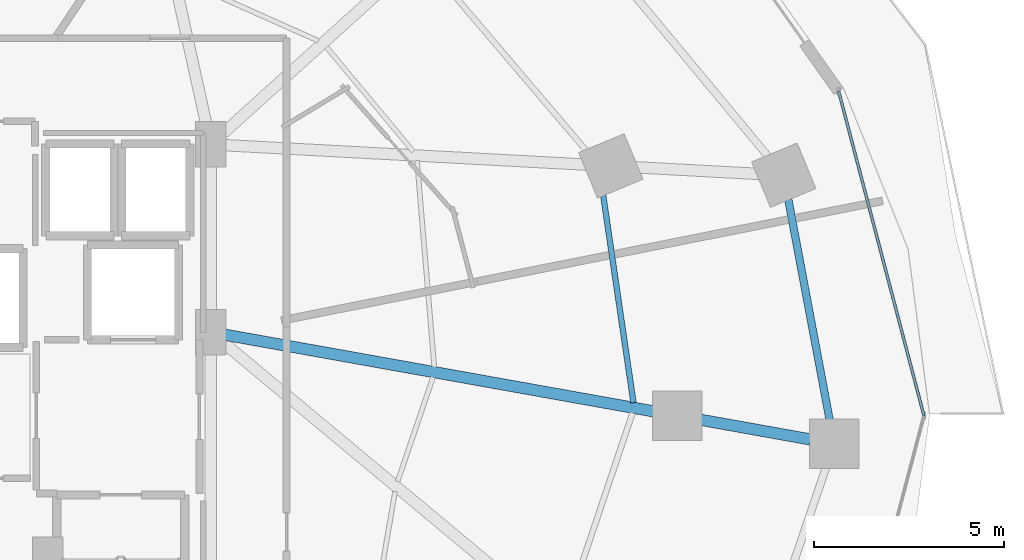
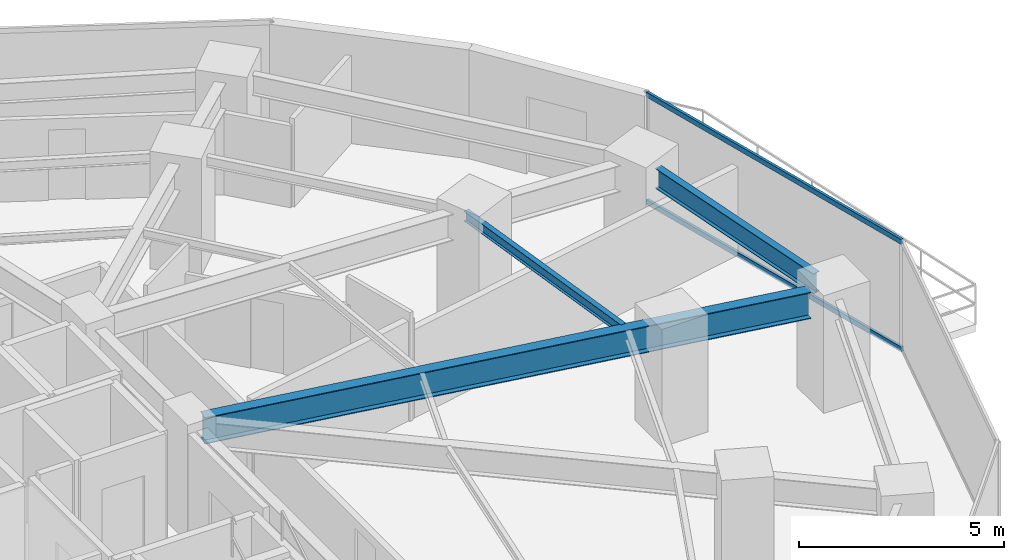
# One storey, part 14 of 30: 3 beams, 2 members, 1 element without a shape of its own.
"""IFC4 building model written with IfcOpenShell, lengths in metres."""

from ifc_helpers import new_model, si_unit, direction, frame, origin, origin_2d, place, context, subcontext, project, spatial, hollow_rectangle, i_section, extrude, material, material_profile, profile_set, type_object, element, aggregate, save


model = new_model("IFC4")

# Units and contexts
model_context = context("Model", 3, precision=1e-05, world=origin(), true_north=direction((0.0, 1.0)))
body_context = subcontext(model_context, "Body", "Model", "MODEL_VIEW")
ifc_project = project(units=[si_unit("LENGTHUNIT", "METRE"), si_unit("AREAUNIT", "SQUARE_METRE"), si_unit("VOLUMEUNIT", "CUBIC_METRE"), si_unit("PLANEANGLEUNIT", "RADIAN"), si_unit("MASSUNIT", "GRAM", prefix="KILO")], contexts=[model_context])

# Site, building, storey
site_placement = place(None, origin())
site = spatial("IfcSite", under=ifc_project, at=site_placement, CompositionType="ELEMENT")
building_placement = place(site_placement, origin())
building = spatial("IfcBuilding", under=site, at=building_placement, Name="Vorneva Point Tower", CompositionType="ELEMENT")
storey_placement = place(building_placement, frame((0.0, 0.0, 41.5)))
storey = spatial("IfcBuildingStorey", under=building, at=storey_placement, Name="L10", CompositionType="ELEMENT", Elevation=41.5)

# Beams
ifc_material_1 = material(Name="Steel S355", Category="steel")
ifc_material_profile_1 = material_profile(ifc_material_1, i_section(OverallWidth=0.300048828125, OverallDepth=0.7880859375, WebThickness=0.014404296875, FlangeThickness=0.02197265625, at=origin_2d()), Name="80Sh1")
ifc_profile_set_1 = profile_set([ifc_material_profile_1], Name="Steel S355")
beam_type_1 = type_object("IfcBeamType", Name="BM-GRD-80Sh1", PredefinedType="USERDEFINED", material=ifc_profile_set_1)
beam_1_placement = place(storey_placement, frame((64.55419921875, 25.373291015625, 2.845947265625), z_axis=(-0.984378664832, 0.176064318428, 0.0), x_axis=(-0.176064318428, -0.984378664832, 0.0)))
element("IfcBeam", 1, at=beam_1_placement, inside=storey, type_object=beam_type_1, Name="L10 Radial Primary Girder 01", ObjectType="GIRDER", PredefinedType="USERDEFINED", context=body_context, shape_type="SweptSolid", body=[
    extrude(i_section(OverallWidth=0.300048828125, OverallDepth=0.7880859375, WebThickness=0.014404296875, FlangeThickness=0.02197265625, at=origin_2d()), origin(), (0.0, 0.0, 1.0), 15.715087890625),
])
ifc_material_profile_2 = material_profile(ifc_material_1, i_section(OverallWidth=0.14892578125, OverallDepth=0.298095703125, WebThickness=0.005615234375, FlangeThickness=0.008056640625, at=origin_2d()), Name="30B1")
ifc_profile_set_2 = profile_set([ifc_material_profile_2], Name="Steel S355")
beam_type_2 = type_object("IfcBeamType", Name="BM-JST-30B1", PredefinedType="JOIST", material=ifc_profile_set_2)
beam_2_placement = place(storey_placement, frame((59.893310546875, 26.33984375, 3.091064453125), z_axis=(-0.144525009164, 0.989501147916, 0.0), x_axis=(-0.989501147916, -0.144525009164, 0.0)))
element("IfcBeam", 2, at=beam_2_placement, inside=storey, type_object=beam_type_2, Name="L10 Secondary Floor Beam 1.01", PredefinedType="JOIST", context=body_context, shape_type="SweptSolid", body=[
    extrude(i_section(OverallWidth=0.14892578125, OverallDepth=0.298095703125, WebThickness=0.005615234375, FlangeThickness=0.008056640625, at=origin_2d()), origin(), (0.0, 0.0, 1.0), 6.187744140625),
])
ifc_material_profile_3 = material_profile(ifc_material_1, i_section(OverallWidth=0.198974609375, OverallDepth=0.595947265625, WebThickness=0.010009765625, FlangeThickness=0.014892578125, at=origin_2d()), Name="60B1")
ifc_profile_set_3 = profile_set([ifc_material_profile_3], Name="Steel S355")
beam_type_3 = type_object("IfcBeamType", Name="BM-SPN-60B1", PredefinedType="SPANDREL", material=ifc_profile_set_3)
beam_3_placement = place(storey_placement, frame((65.06494140625, 25.885009765625, 2.94189453125), z_axis=(-0.184383004327, 0.982854469245, 0.0), x_axis=(-0.982854469245, -0.184383004327, 0.0)))
element("IfcBeam", 3, at=beam_3_placement, inside=storey, type_object=beam_type_3, Name="L10 Perimeter Spandrel Ring Beam 01", PredefinedType="SPANDREL", context=body_context, shape_type="SweptSolid", body=[
    extrude(i_section(OverallWidth=0.198974609375, OverallDepth=0.595947265625, WebThickness=0.010009765625, FlangeThickness=0.014892578125, at=origin_2d()), origin(), (0.0, 0.0, 1.0), 5.92919921875),
])

# Curtain wall, members
ifc_material_2 = material(Name="Pale anodised aluminium", Category="aluminium")
curtain_wall_type = type_object("IfcCurtainWallType", Name="CW-HTL-SYS", PredefinedType="NOTDEFINED", material=ifc_material_2)
curtain_wall_placement = place(storey_placement, origin())
curtain_wall = element("IfcCurtainWall", 4, at=curtain_wall_placement, inside=storey, type_object=curtain_wall_type, Name="L10 Unitised Curtain Wall CW-L10-R01", PredefinedType="NOTDEFINED")
ifc_material_profile_4 = material_profile(ifc_material_2, hollow_rectangle(XDim=0.074951171875, YDim=0.14990234375, WallThickness=0.00390625, at=origin_2d()), Name="AL-TRN 150x75x4")
ifc_profile_set_4 = profile_set([ifc_material_profile_4], Name="Pale anodised aluminium")
member_type = type_object("IfcMemberType", Name="CW-TRN-150", PredefinedType="USERDEFINED", material=ifc_profile_set_4)
member_1_placement = place(storey_placement, frame((67.550048828125, 26.0, 0.02001953125), z_axis=(-0.254358772746, 0.967109928978, 0.0), x_axis=(-0.967109928978, -0.254358772746, 0.0)))
member_1 = element("IfcMember", 5, at=member_1_placement, type_object=member_type, Name="CW-L10-R01 Transom 03.1", ObjectType="TRANSOM", PredefinedType="USERDEFINED", context=body_context, shape_type="SweptSolid", body=[
    extrude(hollow_rectangle(XDim=0.074951171875, YDim=0.14990234375, WallThickness=0.00390625, at=origin_2d()), origin(), (0.0, 0.0, 1.0), 8.84375),
])
member_2_placement = place(storey_placement, frame((67.550048828125, 26.0, 3.219970703125), z_axis=(-0.254358772746, 0.967109928978, 0.0), x_axis=(-0.967109928978, -0.254358772746, 0.0)))
member_2 = element("IfcMember", 6, at=member_2_placement, type_object=member_type, Name="CW-L10-R01 Transom 03.2", ObjectType="TRANSOM", PredefinedType="USERDEFINED", context=body_context, shape_type="SweptSolid", body=[
    extrude(hollow_rectangle(XDim=0.074951171875, YDim=0.14990234375, WallThickness=0.00390625, at=origin_2d()), origin(), (0.0, 0.0, 1.0), 8.84375),
])
aggregate(curtain_wall, [member_1, member_2])

save(model, "model.ifc")
